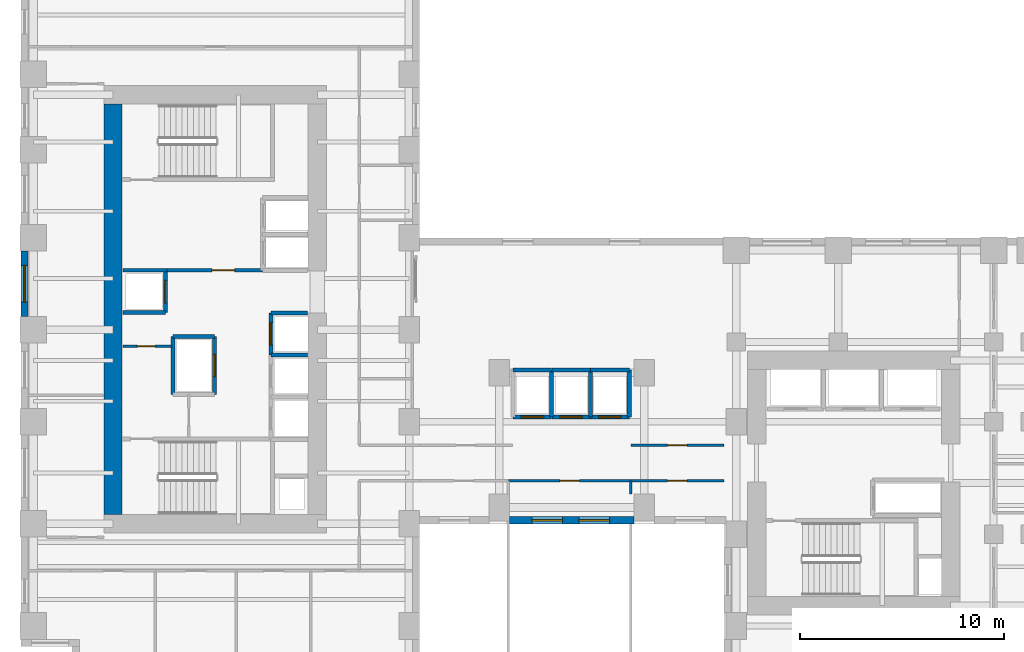
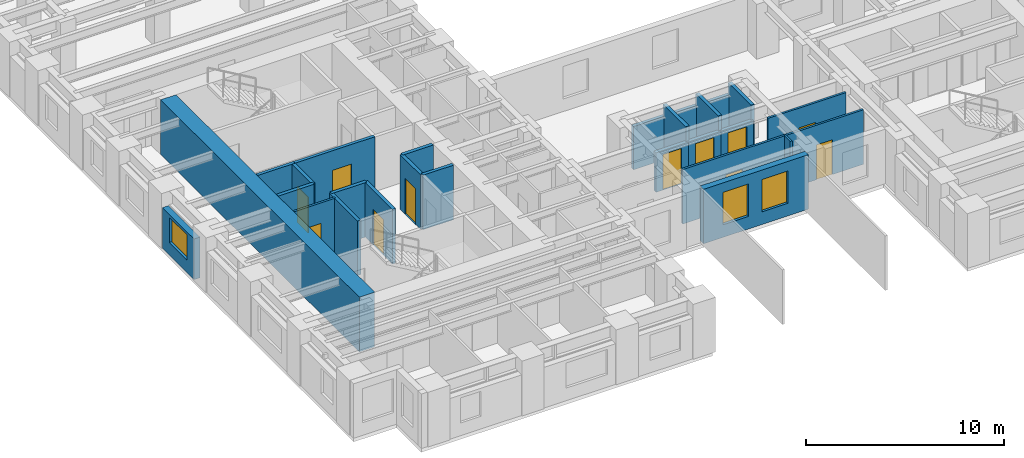
# One storey, part 6 of 12: 27 walls, 11 doors, 3 windows, 14 openings.
"""IFC4 building model written with IfcOpenShell, lengths in metres."""

from ifc_helpers import new_model, si_unit, direction, frame, frame_2d, origin, place, context, subcontext, project, spatial, rectangle, extrude, source, transform, mapped, material, layer, layer_set, type_object, element, fill, save


model = new_model("IFC4")

# Units and contexts
model_context = context("Model", 3, precision=1e-05, world=origin(), true_north=direction((0.0, 1.0)))
body_context = subcontext(model_context, "Body", "Model", "MODEL_VIEW")
ifc_project = project(units=[si_unit("LENGTHUNIT", "METRE"), si_unit("AREAUNIT", "SQUARE_METRE"), si_unit("VOLUMEUNIT", "CUBIC_METRE"), si_unit("PLANEANGLEUNIT", "RADIAN"), si_unit("MASSUNIT", "GRAM", prefix="KILO")], contexts=[model_context])

# Site, building, storey
site_placement = place(None, origin())
site = spatial("IfcSite", under=ifc_project, at=site_placement, CompositionType="ELEMENT")
building_placement = place(site_placement, origin())
building = spatial("IfcBuilding", under=site, at=building_placement, Name="Kharzan Plaza Tower", CompositionType="ELEMENT")
storey_placement = place(building_placement, frame((0.0, 0.0, 51.300048828125)))
storey = spatial("IfcBuildingStorey", under=building, at=storey_placement, Name="L13", CompositionType="ELEMENT", Elevation=51.300048828125)

# Wall, opening, window
ifc_material_1 = material(Name="Concrete C40/50", Category="concrete")
ifc_layer_1 = layer(ifc_material_1, 0.35009765625)
ifc_layer_set_1 = layer_set([ifc_layer_1], Name="Concrete C40/50")
wall_type_1 = type_object("IfcWallType", Name="WL-EXT-MAS-Z1", PredefinedType="SOLIDWALL", material=ifc_layer_set_1)
wall_1_placement = place(storey_placement, frame((0.175048828125, 21.85205078125, 0.0), z_axis=(0.0, 0.0, 1.0), x_axis=(0.0, -1.0, 0.0)))
wall_1 = element("IfcWall", 1, at=wall_1_placement, inside=storey, type_object=wall_type_1, Name="L13 Masonry-Frame Exterior Wall 16", PredefinedType="SOLIDWALL", context=body_context, shape_type="SweptSolid", body=[
    extrude(rectangle(XDim=3.2041015625, YDim=0.35009765625, at=frame_2d((1.60205078125, 0.0))), origin(), (0.0, 0.0, 1.0), 2.510009765625),
])
opening_1_placement = place(wall_1_placement, frame((0.701904296875, 0.0, 0.780029296875)))
opening_1 = element("IfcOpeningElement", 2, at=opening_1_placement, cuts=wall_1, Name="Opening W1", PredefinedType="OPENING", context=body_context, shape_type="SweptSolid", body=[
    extrude(rectangle(XDim=1.800048828125, YDim=1.550048828125, at=frame_2d((0.89990234375, 0.77490234375))), frame((0.0, 0.18505859375, 0.0), z_axis=(0.0, -1.0, 0.0), x_axis=(1.0, 0.0, 0.0)), (0.0, 0.0, 1.0), 0.3701171875),
])
ifc_material_2 = material(Name="Low-E Double Glazing", Category="glass")
window_type_1 = type_object("IfcWindowType", Name="WN-REC-1800x2100", PartitioningType="SINGLE_PANEL", PredefinedType="WINDOW", material=ifc_material_2)
shared_shape_1 = source(origin(), body_context, "Body", "SweptSolid", [
    extrude(rectangle(XDim=1.800048828125, YDim=1.550048828125, at=frame_2d((0.89990234375, 0.77490234375))), frame((0.0, 0.030029296875, 0.0), z_axis=(0.0, -1.0, 0.0), x_axis=(1.0, 0.0, 0.0)), (0.0, 0.0, 1.0), 0.06005859375),
])
window_1_placement = place(opening_1_placement, origin())
window_1 = element("IfcWindow", 3, at=window_1_placement, inside=storey, type_object=window_type_1, Name="L13 Recessed Solar-Control Window 16-1", OverallHeight=1.550048828125, OverallWidth=1.800048828125, PartitioningType="SINGLE_PANEL", PredefinedType="WINDOW", context=body_context, shape_type="MappedRepresentation", body=[
    mapped(shared_shape_1, transform((0.0, 0.0, 0.0), x_axis=(1.0, 0.0, 0.0), y_axis=(0.0, 1.0, 0.0), z_axis=(0.0, 0.0, 1.0))),
])
fill(opening_1, window_1)

# Wall, openings, windows
wall_2_placement = place(storey_placement, frame((23.89794921875, 8.675048828125, 0.0), z_axis=(0.0, 0.0, 1.0), x_axis=(1.0, 0.0, 0.0)))
wall_2 = element("IfcWall", 4, at=wall_2_placement, inside=storey, type_object=wall_type_1, Name="L13 Masonry-Frame Exterior Wall 29", PredefinedType="SOLIDWALL", context=body_context, shape_type="SweptSolid", body=[
    extrude(rectangle(XDim=6.10400390625, YDim=0.35009765625, at=frame_2d((3.052001953125, 0.0))), origin(), (0.0, 0.0, 1.0), 3.364990234375),
])
opening_2_placement = place(wall_2_placement, frame((1.114013671875, 0.0, 0.780029296875)))
opening_2 = element("IfcOpeningElement", 5, at=opening_2_placement, cuts=wall_2, Name="Opening W5", PredefinedType="OPENING", context=body_context, shape_type="SweptSolid", body=[
    extrude(rectangle(XDim=1.5, YDim=2.0, at=frame_2d((0.75, 1.0))), frame((0.0, 0.18505859375, 0.0), z_axis=(0.0, -1.0, 0.0), x_axis=(1.0, 0.0, 0.0)), (0.0, 0.0, 1.0), 0.3701171875),
])
opening_3_placement = place(wall_2_placement, frame((3.407958984375, 0.0, 0.780029296875)))
opening_3 = element("IfcOpeningElement", 6, at=opening_3_placement, cuts=wall_2, Name="Opening W5", PredefinedType="OPENING", context=body_context, shape_type="SweptSolid", body=[
    extrude(rectangle(XDim=1.5, YDim=2.0, at=frame_2d((0.75, 1.0))), frame((0.0, 0.18505859375, 0.0), z_axis=(0.0, -1.0, 0.0), x_axis=(1.0, 0.0, 0.0)), (0.0, 0.0, 1.0), 0.3701171875),
])
window_type_2 = type_object("IfcWindowType", Name="WN-SLT-1500x2000", PartitioningType="SINGLE_PANEL", PredefinedType="WINDOW", material=ifc_material_2)
shared_shape_2 = source(origin(), body_context, "Body", "SweptSolid", [
    extrude(rectangle(XDim=1.5, YDim=2.0, at=frame_2d((0.75, 1.0))), frame((0.0, 0.030029296875, 0.0), z_axis=(0.0, -1.0, 0.0), x_axis=(1.0, 0.0, 0.0)), (0.0, 0.0, 1.0), 0.06005859375),
])
window_2_placement = place(opening_2_placement, origin())
window_2 = element("IfcWindow", 7, at=window_2_placement, inside=storey, type_object=window_type_2, Name="L13 Recessed Solar-Control Window 29-1", OverallHeight=2.0, OverallWidth=1.5, PartitioningType="SINGLE_PANEL", PredefinedType="WINDOW", context=body_context, shape_type="MappedRepresentation", body=[
    mapped(shared_shape_2, transform((0.0, 0.0, 0.0), x_axis=(1.0, 0.0, 0.0), y_axis=(0.0, 1.0, 0.0), z_axis=(0.0, 0.0, 1.0))),
])
fill(opening_2, window_2)
window_3_placement = place(opening_3_placement, origin())
window_3 = element("IfcWindow", 8, at=window_3_placement, inside=storey, type_object=window_type_2, Name="L13 Recessed Solar-Control Window 29-2", OverallHeight=2.0, OverallWidth=1.5, PartitioningType="SINGLE_PANEL", PredefinedType="WINDOW", context=body_context, shape_type="MappedRepresentation", body=[
    mapped(shared_shape_2, transform((0.0, 0.0, 0.0), x_axis=(1.0, 0.0, 0.0), y_axis=(0.0, 1.0, 0.0), z_axis=(0.0, 0.0, 1.0))),
])
fill(opening_3, window_3)

# Wall, opening, door
ifc_layer_2 = layer(ifc_material_1, 0.179931640625)
ifc_layer_set_2 = layer_set([ifc_layer_2], Name="Concrete C40/50")
wall_type_2 = type_object("IfcWallType", Name="WL-INT-FIRE-180", PredefinedType="PARTITIONING", material=ifc_layer_set_2)
wall_3_placement = place(storey_placement, frame((7.14990234375, 20.919921875, 0.0), z_axis=(0.0, 0.0, 1.0), x_axis=(1.0, 0.0, 0.0)))
wall_3 = element("IfcWall", 9, at=wall_3_placement, inside=storey, type_object=wall_type_2, Name="L13 Interior Partition CA-FF-S", PredefinedType="PARTITIONING", context=body_context, shape_type="SweptSolid", body=[
    extrude(rectangle(XDim=4.68017578125, YDim=0.179931640625, at=frame_2d((2.340087890625, 0.0))), origin(), (0.0, 0.0, 1.0), 3.364990234375),
])
opening_4_placement = place(wall_3_placement, frame((2.199951171875, 0.0, 0.0)))
opening_4 = element("IfcOpeningElement", 10, at=opening_4_placement, cuts=wall_3, Name="Opening FD1", PredefinedType="OPENING", context=body_context, shape_type="SweptSolid", body=[
    extrude(rectangle(XDim=1.10009765625, YDim=2.14990234375, at=frame_2d((0.550048828125, 1.074951171875))), frame((0.0, 0.099853515625, 0.0), z_axis=(0.0, -1.0, 0.0), x_axis=(1.0, 0.0, 0.0)), (0.0, 0.0, 1.0), 0.199951171875),
])
ifc_material_3 = material(Name="Fire-Rated Acoustic Vision-Panel Steel", Category="steel")
door_type_1 = type_object("IfcDoorType", Name="DR-FIRE-LOBBY", OperationType="NOTDEFINED", PredefinedType="DOOR", material=ifc_material_3)
shared_shape_3 = source(origin(), body_context, "Body", "SweptSolid", [
    extrude(rectangle(XDim=1.10009765625, YDim=2.14990234375, at=frame_2d((0.550048828125, 1.074951171875))), frame((0.0, 0.02490234375, 0.0), z_axis=(0.0, -1.0, 0.0), x_axis=(1.0, 0.0, 0.0)), (0.0, 0.0, 1.0), 0.050048828125),
])
door_1_placement = place(opening_4_placement, origin())
door_1 = element("IfcDoor", 11, at=door_1_placement, inside=storey, type_object=door_type_1, Name="L13 Firefighting Lobby Door", OperationType="SINGLE_SWING_RIGHT", OverallHeight=2.14990234375, OverallWidth=1.10009765625, PredefinedType="DOOR", context=body_context, shape_type="MappedRepresentation", body=[
    mapped(shared_shape_3, transform((0.0, 0.0, 0.0), x_axis=(1.0, 0.0, 0.0), y_axis=(0.0, 1.0, 0.0), z_axis=(0.0, 0.0, 1.0))),
])
fill(opening_4, door_1)

ifc_material_4 = material(Name="Fire-Rated Gypsum Board Partition", Category="gypsum")
ifc_layer_3 = layer(ifc_material_4, 0.125)
ifc_layer_set_3 = layer_set([ifc_layer_3], Name="Fire-Rated Gypsum Board Partition")
wall_type_3 = type_object("IfcWallType", Name="WL-INT-PART-125", PredefinedType="PARTITIONING", material=ifc_layer_set_3)
wall_4_placement = place(storey_placement, frame((5.0, 17.199951171875, 0.0), z_axis=(0.0, 0.0, 1.0), x_axis=(1.0, 0.0, 0.0)))
wall_4 = element("IfcWall", 12, at=wall_4_placement, inside=storey, type_object=wall_type_3, Name="L13 Interior Partition CA-K1N2", PredefinedType="PARTITIONING", context=body_context, shape_type="SweptSolid", body=[
    extrude(rectangle(XDim=2.39990234375, YDim=0.125, at=frame_2d((1.199951171875, 0.0))), origin(), (0.0, 0.0, 1.0), 3.364990234375),
])
opening_5_placement = place(wall_4_placement, frame((0.699951171875, 0.0, 0.0)))
opening_5 = element("IfcOpeningElement", 13, at=opening_5_placement, cuts=wall_4, Name="Opening RD1", PredefinedType="OPENING", context=body_context, shape_type="SweptSolid", body=[
    extrude(rectangle(XDim=0.85009765625, YDim=2.10009765625, at=frame_2d((0.425048828125, 1.050048828125))), frame((0.0, 0.072509765625, 0.0), z_axis=(0.0, -1.0, 0.0), x_axis=(1.0, 0.0, 0.0)), (0.0, 0.0, 1.0), 0.14501953125),
])
ifc_material_5 = material(Name="Powder-Coated Fire-Rated Steel", Category="steel")
door_type_2 = type_object("IfcDoorType", Name="DR-RISER-900", OperationType="NOTDEFINED", PredefinedType="DOOR", material=ifc_material_5)
shared_shape_4 = source(origin(), body_context, "Body", "SweptSolid", [
    extrude(rectangle(XDim=0.85009765625, YDim=2.10009765625, at=frame_2d((0.425048828125, 1.050048828125))), frame((0.0, 0.02490234375, 0.0), z_axis=(0.0, -1.0, 0.0), x_axis=(1.0, 0.0, 0.0)), (0.0, 0.0, 1.0), 0.050048828125),
])
door_2_placement = place(opening_5_placement, origin())
door_2 = element("IfcDoor", 14, at=door_2_placement, inside=storey, type_object=door_type_2, Name="L13 Core Storage Room Door", OperationType="SINGLE_SWING_LEFT", OverallHeight=2.10009765625, OverallWidth=0.85009765625, PredefinedType="DOOR", context=body_context, shape_type="MappedRepresentation", body=[
    mapped(shared_shape_4, transform((0.0, 0.0, 0.0), x_axis=(1.0, 0.0, 0.0), y_axis=(0.0, 1.0, 0.0), z_axis=(0.0, 0.0, 1.0))),
])
fill(opening_5, door_2)

wall_5_placement = place(storey_placement, frame((29.85009765625, 12.35009765625, 0.0), z_axis=(0.0, 0.0, 1.0), x_axis=(1.0, 0.0, 0.0)))
wall_5 = element("IfcWall", 15, at=wall_5_placement, inside=storey, type_object=wall_type_3, Name="L13 Interior Partition SH-SPNE1", PredefinedType="PARTITIONING", context=body_context, shape_type="SweptSolid", body=[
    extrude(rectangle(XDim=4.5498046875, YDim=0.125, at=frame_2d((2.27490234375, 0.0))), origin(), (0.0, 0.0, 1.0), 3.364990234375),
])
opening_6_placement = place(wall_5_placement, frame((1.800048828125, 0.0, 0.0)))
opening_6 = element("IfcOpeningElement", 16, at=opening_6_placement, cuts=wall_5, Name="Opening OD1", PredefinedType="OPENING", context=body_context, shape_type="SweptSolid", body=[
    extrude(rectangle(XDim=0.949951171875, YDim=2.14990234375, at=frame_2d((0.47509765625, 1.074951171875))), frame((0.0, 0.072509765625, 0.0), z_axis=(0.0, -1.0, 0.0), x_axis=(1.0, 0.0, 0.0)), (0.0, 0.0, 1.0), 0.14501953125),
])
ifc_material_6 = material(Name="Acoustic Solid-Core Stained Oak", Category="timber")
door_type_3 = type_object("IfcDoorType", Name="DR-OFF-SINGLE", OperationType="NOTDEFINED", PredefinedType="DOOR", material=ifc_material_6)
shared_shape_5 = source(origin(), body_context, "Body", "SweptSolid", [
    extrude(rectangle(XDim=0.949951171875, YDim=2.14990234375, at=frame_2d((0.47509765625, 1.074951171875))), frame((0.0, 0.02490234375, 0.0), z_axis=(0.0, -1.0, 0.0), x_axis=(1.0, 0.0, 0.0)), (0.0, 0.0, 1.0), 0.050048828125),
])
door_3_placement = place(opening_6_placement, origin())
door_3 = element("IfcDoor", 17, at=door_3_placement, inside=storey, type_object=door_type_3, Name="L13 North-East Spine Door", OperationType="SINGLE_SWING_RIGHT", OverallHeight=2.14990234375, OverallWidth=0.949951171875, PredefinedType="DOOR", context=body_context, shape_type="MappedRepresentation", body=[
    mapped(shared_shape_5, transform((0.0, 0.0, 0.0), x_axis=(1.0, 0.0, 0.0), y_axis=(0.0, 1.0, 0.0), z_axis=(0.0, 0.0, 1.0))),
])
fill(opening_6, door_3)

wall_6_placement = place(storey_placement, frame((23.85009765625, 10.60009765625, 0.0), z_axis=(0.0, 0.0, 1.0), x_axis=(1.0, 0.0, 0.0)))
wall_6 = element("IfcWall", 18, at=wall_6_placement, inside=storey, type_object=wall_type_3, Name="L13 Interior Partition SH-SPS2", PredefinedType="PARTITIONING", context=body_context, shape_type="SweptSolid", body=[
    extrude(rectangle(XDim=6.0, YDim=0.125, at=frame_2d((3.0, 0.0))), origin(), (0.0, 0.0, 1.0), 3.364990234375),
])
opening_7_placement = place(wall_6_placement, frame((2.52490234375, 0.0, 0.0)))
opening_7 = element("IfcOpeningElement", 19, at=opening_7_placement, cuts=wall_6, Name="Opening OD1", PredefinedType="OPENING", context=body_context, shape_type="SweptSolid", body=[
    extrude(rectangle(XDim=0.949951171875, YDim=2.14990234375, at=frame_2d((0.47509765625, 1.074951171875))), frame((0.0, 0.072509765625, 0.0), z_axis=(0.0, -1.0, 0.0), x_axis=(1.0, 0.0, 0.0)), (0.0, 0.0, 1.0), 0.14501953125),
])
door_4_placement = place(opening_7_placement, origin())
door_4 = element("IfcDoor", 20, at=door_4_placement, inside=storey, type_object=door_type_3, Name="L13 Spine Studio 2 Door", OperationType="SINGLE_SWING_LEFT", OverallHeight=2.14990234375, OverallWidth=0.949951171875, PredefinedType="DOOR", context=body_context, shape_type="MappedRepresentation", body=[
    mapped(shared_shape_5, transform((0.0, 0.0, 0.0), x_axis=(1.0, 0.0, 0.0), y_axis=(0.0, 1.0, 0.0), z_axis=(0.0, 0.0, 1.0))),
])
fill(opening_7, door_4)

wall_7_placement = place(storey_placement, frame((29.85009765625, 10.60009765625, 0.0), z_axis=(0.0, 0.0, 1.0), x_axis=(1.0, 0.0, 0.0)))
wall_7 = element("IfcWall", 21, at=wall_7_placement, inside=storey, type_object=wall_type_3, Name="L13 Interior Partition SH-SPS3", PredefinedType="PARTITIONING", context=body_context, shape_type="SweptSolid", body=[
    extrude(rectangle(XDim=4.5498046875, YDim=0.125, at=frame_2d((2.27490234375, 0.0))), origin(), (0.0, 0.0, 1.0), 3.364990234375),
])
opening_8_placement = place(wall_7_placement, frame((1.800048828125, 0.0, 0.0)))
opening_8 = element("IfcOpeningElement", 22, at=opening_8_placement, cuts=wall_7, Name="Opening OD1", PredefinedType="OPENING", context=body_context, shape_type="SweptSolid", body=[
    extrude(rectangle(XDim=0.949951171875, YDim=2.14990234375, at=frame_2d((0.47509765625, 1.074951171875))), frame((0.0, 0.072509765625, 0.0), z_axis=(0.0, -1.0, 0.0), x_axis=(1.0, 0.0, 0.0)), (0.0, 0.0, 1.0), 0.14501953125),
])
door_5_placement = place(opening_8_placement, origin())
door_5 = element("IfcDoor", 23, at=door_5_placement, inside=storey, type_object=door_type_3, Name="L13 Spine Studio 3 Door", OperationType="SINGLE_SWING_RIGHT", OverallHeight=2.14990234375, OverallWidth=0.949951171875, PredefinedType="DOOR", context=body_context, shape_type="MappedRepresentation", body=[
    mapped(shared_shape_5, transform((0.0, 0.0, 0.0), x_axis=(1.0, 0.0, 0.0), y_axis=(0.0, 1.0, 0.0), z_axis=(0.0, 0.0, 1.0))),
])
fill(opening_8, door_5)

ifc_layer_4 = layer(ifc_material_1, 0.199951171875)
ifc_layer_set_4 = layer_set([ifc_layer_4], Name="Concrete C40/50")
wall_type_4 = type_object("IfcWallType", Name="WL-INT-SHAFT-200", PredefinedType="PARTITIONING", material=ifc_layer_set_4)
wall_8_placement = place(storey_placement, frame((12.22998046875, 16.77001953125, 0.0), z_axis=(0.0, 0.0, 1.0), x_axis=(0.0, 1.0, 0.0)))
wall_8 = element("IfcWall", 24, at=wall_8_placement, inside=storey, type_object=wall_type_4, Name="L13 Interior Partition SHF-PL-H3-W", PredefinedType="PARTITIONING", context=body_context, shape_type="SweptSolid", body=[
    extrude(rectangle(XDim=2.050048828125, YDim=0.199951171875, at=frame_2d((1.02490234375, 0.0))), origin(), (0.0, 0.0, 1.0), 3.364990234375),
])
opening_9_placement = place(wall_8_placement, frame((0.47509765625, 0.0, 0.0)))
opening_9 = element("IfcOpeningElement", 25, at=opening_9_placement, cuts=wall_8, Name="Opening LD", PredefinedType="OPENING", context=body_context, shape_type="SweptSolid", body=[
    extrude(rectangle(XDim=1.10009765625, YDim=2.199951171875, at=frame_2d((0.550048828125, 1.10009765625))), frame((0.0, 0.10986328125, 0.0), z_axis=(0.0, -1.0, 0.0), x_axis=(1.0, 0.0, 0.0)), (0.0, 0.0, 1.0), 0.219970703125),
])
ifc_material_7 = material(Name="Brushed Stainless Steel", Category="steel")
door_type_4 = type_object("IfcDoorType", Name="DR-LIFT-SLIDE", OperationType="SLIDING_TO_LEFT", PredefinedType="DOOR", material=ifc_material_7)
shared_shape_6 = source(origin(), body_context, "Body", "SweptSolid", [
    extrude(rectangle(XDim=1.10009765625, YDim=2.199951171875, at=frame_2d((0.550048828125, 1.10009765625))), frame((0.0, 0.02490234375, 0.0), z_axis=(0.0, -1.0, 0.0), x_axis=(1.0, 0.0, 0.0)), (0.0, 0.0, 1.0), 0.050048828125),
])
door_6_placement = place(opening_9_placement, origin())
door_6 = element("IfcDoor", 26, at=door_6_placement, inside=storey, type_object=door_type_4, Name="L13 High-Rise Passenger Lift PL-H3 Sliding Landing Door", OperationType="SLIDING_TO_LEFT", OverallHeight=2.199951171875, OverallWidth=1.10009765625, PredefinedType="DOOR", context=body_context, shape_type="MappedRepresentation", body=[
    mapped(shared_shape_6, transform((0.0, 0.0, 0.0), x_axis=(1.0, 0.0, 0.0), y_axis=(0.0, 1.0, 0.0), z_axis=(0.0, 0.0, 1.0))),
])
fill(opening_9, door_6)

wall_9_placement = place(storey_placement, frame((7.070068359375, 18.840087890625, 0.0), z_axis=(0.0, 0.0, 1.0), x_axis=(0.0, 1.0, 0.0)))
wall_9 = element("IfcWall", 27, at=wall_9_placement, inside=storey, type_object=wall_type_4, Name="L13 Interior Partition SHF-PL-H4-E", PredefinedType="PARTITIONING", context=body_context, shape_type="SweptSolid", body=[
    extrude(rectangle(XDim=2.059814453125, YDim=0.199951171875, at=frame_2d((1.02978515625, 0.0))), origin(), (0.0, 0.0, 1.0), 3.364990234375),
])
opening_10_placement = place(wall_9_placement, frame((0.47998046875, 0.0, 0.0)))
opening_10 = element("IfcOpeningElement", 28, at=opening_10_placement, cuts=wall_9, Name="Opening LD", PredefinedType="OPENING", context=body_context, shape_type="SweptSolid", body=[
    extrude(rectangle(XDim=1.10009765625, YDim=2.199951171875, at=frame_2d((0.550048828125, 1.10009765625))), frame((0.0, 0.10986328125, 0.0), z_axis=(0.0, -1.0, 0.0), x_axis=(1.0, 0.0, 0.0)), (0.0, 0.0, 1.0), 0.219970703125),
])
door_7_placement = place(opening_10_placement, origin())
door_7 = element("IfcDoor", 29, at=door_7_placement, inside=storey, type_object=door_type_4, Name="L13 High-Rise Passenger Lift PL-H4 Sliding Landing Door", OperationType="SLIDING_TO_LEFT", OverallHeight=2.199951171875, OverallWidth=1.10009765625, PredefinedType="DOOR", context=body_context, shape_type="MappedRepresentation", body=[
    mapped(shared_shape_6, transform((0.0, 0.0, 0.0), x_axis=(1.0, 0.0, 0.0), y_axis=(0.0, 1.0, 0.0), z_axis=(0.0, 0.0, 1.0))),
])
fill(opening_10, door_7)

wall_10_placement = place(storey_placement, frame((24.080078125, 13.72998046875, 0.0), z_axis=(0.0, 0.0, 1.0), x_axis=(1.0, 0.0, 0.0)))
wall_10 = element("IfcWall", 30, at=wall_10_placement, inside=storey, type_object=wall_type_4, Name="L13 Interior Partition SHF-PL-M1-S", PredefinedType="PARTITIONING", context=body_context, shape_type="SweptSolid", body=[
    extrude(rectangle(XDim=1.889892578125, YDim=0.199951171875, at=frame_2d((0.94482421875, 0.0))), origin(), (0.0, 0.0, 1.0), 2.446044921875),
])
opening_11_placement = place(wall_10_placement, frame((0.39501953125, 0.0, 0.0)))
opening_11 = element("IfcOpeningElement", 31, at=opening_11_placement, cuts=wall_10, Name="Opening LD", PredefinedType="OPENING", context=body_context, shape_type="SweptSolid", body=[
    extrude(rectangle(XDim=1.10009765625, YDim=2.199951171875, at=frame_2d((0.550048828125, 1.10009765625))), frame((0.0, 0.10986328125, 0.0), z_axis=(0.0, -1.0, 0.0), x_axis=(1.0, 0.0, 0.0)), (0.0, 0.0, 1.0), 0.219970703125),
])
door_8_placement = place(opening_11_placement, origin())
door_8 = element("IfcDoor", 32, at=door_8_placement, inside=storey, type_object=door_type_4, Name="L13 Mid-Rise Passenger Lift PL-M1 Sliding Landing Door", OperationType="SLIDING_TO_LEFT", OverallHeight=2.199951171875, OverallWidth=1.10009765625, PredefinedType="DOOR", context=body_context, shape_type="MappedRepresentation", body=[
    mapped(shared_shape_6, transform((0.0, 0.0, 0.0), x_axis=(1.0, 0.0, 0.0), y_axis=(0.0, 1.0, 0.0), z_axis=(0.0, 0.0, 1.0))),
])
fill(opening_11, door_8)

wall_11_placement = place(storey_placement, frame((25.97998046875, 13.72998046875, 0.0), z_axis=(0.0, 0.0, 1.0), x_axis=(1.0, 0.0, 0.0)))
wall_11 = element("IfcWall", 33, at=wall_11_placement, inside=storey, type_object=wall_type_4, Name="L13 Interior Partition SHF-PL-M2-S", PredefinedType="PARTITIONING", context=body_context, shape_type="SweptSolid", body=[
    extrude(rectangle(XDim=1.89013671875, YDim=0.199951171875, at=frame_2d((0.945068359375, 0.0))), origin(), (0.0, 0.0, 1.0), 2.446044921875),
])
opening_12_placement = place(wall_11_placement, frame((0.39501953125, 0.0, 0.0)))
opening_12 = element("IfcOpeningElement", 34, at=opening_12_placement, cuts=wall_11, Name="Opening LD", PredefinedType="OPENING", context=body_context, shape_type="SweptSolid", body=[
    extrude(rectangle(XDim=1.10009765625, YDim=2.199951171875, at=frame_2d((0.550048828125, 1.10009765625))), frame((0.0, 0.10986328125, 0.0), z_axis=(0.0, -1.0, 0.0), x_axis=(1.0, 0.0, 0.0)), (0.0, 0.0, 1.0), 0.219970703125),
])
door_9_placement = place(opening_12_placement, origin())
door_9 = element("IfcDoor", 35, at=door_9_placement, inside=storey, type_object=door_type_4, Name="L13 Mid-Rise Passenger Lift PL-M2 Sliding Landing Door", OperationType="SLIDING_TO_LEFT", OverallHeight=2.199951171875, OverallWidth=1.10009765625, PredefinedType="DOOR", context=body_context, shape_type="MappedRepresentation", body=[
    mapped(shared_shape_6, transform((0.0, 0.0, 0.0), x_axis=(1.0, 0.0, 0.0), y_axis=(0.0, 1.0, 0.0), z_axis=(0.0, 0.0, 1.0))),
])
fill(opening_12, door_9)

wall_12_placement = place(storey_placement, frame((27.8798828125, 13.72998046875, 0.0), z_axis=(0.0, 0.0, 1.0), x_axis=(1.0, 0.0, 0.0)))
wall_12 = element("IfcWall", 36, at=wall_12_placement, inside=storey, type_object=wall_type_4, Name="L13 Interior Partition SHF-PL-M3-S", PredefinedType="PARTITIONING", context=body_context, shape_type="SweptSolid", body=[
    extrude(rectangle(XDim=1.89013671875, YDim=0.199951171875, at=frame_2d((0.945068359375, 0.0))), origin(), (0.0, 0.0, 1.0), 2.446044921875),
])
opening_13_placement = place(wall_12_placement, frame((0.39501953125, 0.0, 0.0)))
opening_13 = element("IfcOpeningElement", 37, at=opening_13_placement, cuts=wall_12, Name="Opening LD", PredefinedType="OPENING", context=body_context, shape_type="SweptSolid", body=[
    extrude(rectangle(XDim=1.10009765625, YDim=2.199951171875, at=frame_2d((0.550048828125, 1.10009765625))), frame((0.0, 0.10986328125, 0.0), z_axis=(0.0, -1.0, 0.0), x_axis=(1.0, 0.0, 0.0)), (0.0, 0.0, 1.0), 0.219970703125),
])
door_10_placement = place(opening_13_placement, origin())
door_10 = element("IfcDoor", 38, at=door_10_placement, inside=storey, type_object=door_type_4, Name="L13 Mid-Rise Passenger Lift PL-M3 Sliding Landing Door", OperationType="SLIDING_TO_LEFT", OverallHeight=2.199951171875, OverallWidth=1.10009765625, PredefinedType="DOOR", context=body_context, shape_type="MappedRepresentation", body=[
    mapped(shared_shape_6, transform((0.0, 0.0, 0.0), x_axis=(1.0, 0.0, 0.0), y_axis=(0.0, 1.0, 0.0), z_axis=(0.0, 0.0, 1.0))),
])
fill(opening_13, door_10)

wall_13_placement = place(storey_placement, frame((9.469970703125, 14.830078125, 0.0), z_axis=(0.0, 0.0, 1.0), x_axis=(0.0, 1.0, 0.0)))
wall_13 = element("IfcWall", 39, at=wall_13_placement, inside=storey, type_object=wall_type_4, Name="L13 Interior Partition SHF-SVL-1-E", PredefinedType="PARTITIONING", context=body_context, shape_type="SweptSolid", body=[
    extrude(rectangle(XDim=2.83984375, YDim=0.199951171875, at=frame_2d((1.419921875, 0.0))), origin(), (0.0, 0.0, 1.0), 3.364990234375),
])
opening_14_placement = place(wall_13_placement, frame((0.8701171875, 0.0, 0.0)))
opening_14 = element("IfcOpeningElement", 40, at=opening_14_placement, cuts=wall_13, Name="Opening LD", PredefinedType="OPENING", context=body_context, shape_type="SweptSolid", body=[
    extrude(rectangle(XDim=1.10009765625, YDim=2.199951171875, at=frame_2d((0.550048828125, 1.10009765625))), frame((0.0, 0.10986328125, 0.0), z_axis=(0.0, -1.0, 0.0), x_axis=(1.0, 0.0, 0.0)), (0.0, 0.0, 1.0), 0.219970703125),
])
door_11_placement = place(opening_14_placement, origin())
door_11 = element("IfcDoor", 41, at=door_11_placement, inside=storey, type_object=door_type_4, Name="L13 Service Lift SVL-1 Sliding Landing Door", OperationType="SLIDING_TO_LEFT", OverallHeight=2.199951171875, OverallWidth=1.10009765625, PredefinedType="DOOR", context=body_context, shape_type="MappedRepresentation", body=[
    mapped(shared_shape_6, transform((0.0, 0.0, 0.0), x_axis=(1.0, 0.0, 0.0), y_axis=(0.0, 1.0, 0.0), z_axis=(0.0, 0.0, 1.0))),
])
fill(opening_14, door_11)

# Walls
ifc_material_8 = material(Name="Concrete C60/75", Category="concrete")
ifc_layer_5 = layer(ifc_material_8, 0.89990234375)
ifc_layer_set_5 = layer_set([ifc_layer_5], Name="Concrete C60/75")
wall_type_5 = type_object("IfcWallType", Name="WL-CORE-900", PredefinedType="SHEAR", material=ifc_layer_set_5)
shared_shape_7 = source(origin(), body_context, "Body", "SweptSolid", [
    extrude(rectangle(XDim=20.10009765625, YDim=0.89990234375, at=frame_2d((10.050048828125, 0.0))), origin(), (0.0, 0.0, 1.0), 3.3798828125),
])
wall_14_placement = place(storey_placement, frame((4.5, 8.949951171875, 0.0), z_axis=(0.0, 0.0, 1.0), x_axis=(0.0, 1.0, 0.0)))
element("IfcWall", 42, at=wall_14_placement, inside=storey, type_object=wall_type_5, Name="L13 CORE-A west RC shear wall", PredefinedType="SHEAR", context=body_context, shape_type="MappedRepresentation", body=[
    mapped(shared_shape_7, transform((0.0, 0.0, 0.0), x_axis=(1.0, 0.0, 0.0), y_axis=(0.0, 1.0, 0.0), z_axis=(0.0, 0.0, 1.0))),
])
shared_shape_8 = source(origin(), body_context, "Body", "SweptSolid", [
    extrude(rectangle(XDim=2.169921875, YDim=0.179931640625, at=frame_2d((1.0849609375, 0.0))), origin(), (0.0, 0.0, 1.0), 3.364990234375),
])
wall_15_placement = place(storey_placement, frame((4.97998046875, 20.919921875, 0.0), z_axis=(0.0, 0.0, 1.0), x_axis=(1.0, 0.0, 0.0)))
element("IfcWall", 43, at=wall_15_placement, inside=storey, type_object=wall_type_2, Name="L13 Interior Partition CA-FF-SW", PredefinedType="PARTITIONING", context=body_context, shape_type="MappedRepresentation", body=[
    mapped(shared_shape_8, transform((0.0, 0.0, 0.0), x_axis=(1.0, 0.0, 0.0), y_axis=(0.0, 1.0, 0.0), z_axis=(0.0, 0.0, 1.0))),
])
shared_shape_9 = source(origin(), body_context, "Body", "SweptSolid", [
    extrude(rectangle(XDim=1.7900390625, YDim=0.199951171875, at=frame_2d((0.89501953125, 0.0))), origin(), (0.0, 0.0, 1.0), 3.364990234375),
])
for number, where, z_axis, x_axis, name in (
    (44, (12.22998046875, 16.77001953125, 0.0), (0.0, 0.0, 1.0), (1.0, 0.0, 0.0), "L13 Interior Partition SHF-PL-H2-N"),
    (45, (12.22998046875, 18.820068359375, 0.0), (0.0, 0.0, 1.0), (1.0, 0.0, 0.0), "L13 Interior Partition SHF-PL-H3-N"),
):
    element("IfcWall", number, at=place(storey_placement, frame(where, z_axis=z_axis, x_axis=x_axis)), inside=storey, type_object=wall_type_4, Name=name, PredefinedType="PARTITIONING", context=body_context, shape_type="MappedRepresentation", body=[
        mapped(shared_shape_9, transform((0.0, 0.0, 0.0), x_axis=(1.0, 0.0, 0.0), y_axis=(0.0, 1.0, 0.0), z_axis=(0.0, 0.0, 1.0))),
    ])
shared_shape_10 = source(origin(), body_context, "Body", "SweptSolid", [
    extrude(rectangle(XDim=2.090087890625, YDim=0.199951171875, at=frame_2d((1.044921875, 0.0))), origin(), (0.0, 0.0, 1.0), 3.364990234375),
])
wall_16_placement = place(storey_placement, frame((4.97998046875, 18.840087890625, 0.0), z_axis=(0.0, 0.0, 1.0), x_axis=(1.0, 0.0, 0.0)))
element("IfcWall", 46, at=wall_16_placement, inside=storey, type_object=wall_type_4, Name="L13 Interior Partition SHF-PL-H4-S", PredefinedType="PARTITIONING", context=body_context, shape_type="MappedRepresentation", body=[
    mapped(shared_shape_10, transform((0.0, 0.0, 0.0), x_axis=(1.0, 0.0, 0.0), y_axis=(0.0, 1.0, 0.0), z_axis=(0.0, 0.0, 1.0))),
])
shared_shape_11 = source(origin(), body_context, "Body", "SweptSolid", [
    extrude(rectangle(XDim=2.2900390625, YDim=0.199951171875, at=frame_2d((1.14501953125, 0.0))), origin(), (0.0, 0.0, 1.0), 3.364990234375),
])
for number, where, z_axis, x_axis, name in (
    (47, (25.969970703125, 13.72998046875, 0.0), (0.0, 0.0, 1.0), (0.0, 1.0, 0.0), "L13 Interior Partition SHF-PL-M1-E"),
    (48, (27.8701171875, 13.72998046875, 0.0), (0.0, 0.0, 1.0), (0.0, 1.0, 0.0), "L13 Interior Partition SHF-PL-M2-E"),
    (49, (29.77001953125, 13.72998046875, 0.0), (0.0, 0.0, 1.0), (0.0, 1.0, 0.0), "L13 Interior Partition SHF-PL-M3-E"),
):
    element("IfcWall", number, at=place(storey_placement, frame(where, z_axis=z_axis, x_axis=x_axis)), inside=storey, type_object=wall_type_4, Name=name, PredefinedType="PARTITIONING", context=body_context, shape_type="MappedRepresentation", body=[
        mapped(shared_shape_11, transform((0.0, 0.0, 0.0), x_axis=(1.0, 0.0, 0.0), y_axis=(0.0, 1.0, 0.0), z_axis=(0.0, 0.0, 1.0))),
    ])
shared_shape_12 = source(origin(), body_context, "Body", "SweptSolid", [
    extrude(rectangle(XDim=1.889892578125, YDim=0.199951171875, at=frame_2d((0.94482421875, 0.0))), origin(), (0.0, 0.0, 1.0), 2.669921875),
])
wall_17_placement = place(storey_placement, frame((24.080078125, 16.02001953125, 0.0), z_axis=(0.0, 0.0, 1.0), x_axis=(1.0, 0.0, 0.0)))
element("IfcWall", 50, at=wall_17_placement, inside=storey, type_object=wall_type_4, Name="L13 Interior Partition SHF-PL-M1-N", PredefinedType="PARTITIONING", context=body_context, shape_type="MappedRepresentation", body=[
    mapped(shared_shape_12, transform((0.0, 0.0, 0.0), x_axis=(1.0, 0.0, 0.0), y_axis=(0.0, 1.0, 0.0), z_axis=(0.0, 0.0, 1.0))),
])
shared_shape_13 = source(origin(), body_context, "Body", "SweptSolid", [
    extrude(rectangle(XDim=1.89013671875, YDim=0.199951171875, at=frame_2d((0.945068359375, 0.0))), origin(), (0.0, 0.0, 1.0), 2.669921875),
])
for number, where, z_axis, x_axis, name in (
    (51, (25.97998046875, 16.02001953125, 0.0), (0.0, 0.0, 1.0), (1.0, 0.0, 0.0), "L13 Interior Partition SHF-PL-M2-N"),
    (52, (27.8798828125, 16.02001953125, 0.0), (0.0, 0.0, 1.0), (1.0, 0.0, 0.0), "L13 Interior Partition SHF-PL-M3-N"),
):
    element("IfcWall", number, at=place(storey_placement, frame(where, z_axis=z_axis, x_axis=x_axis)), inside=storey, type_object=wall_type_4, Name=name, PredefinedType="PARTITIONING", context=body_context, shape_type="MappedRepresentation", body=[
        mapped(shared_shape_13, transform((0.0, 0.0, 0.0), x_axis=(1.0, 0.0, 0.0), y_axis=(0.0, 1.0, 0.0), z_axis=(0.0, 0.0, 1.0))),
    ])
shared_shape_14 = source(origin(), body_context, "Body", "SweptSolid", [
    extrude(rectangle(XDim=2.0400390625, YDim=0.199951171875, at=frame_2d((1.02001953125, 0.0))), origin(), (0.0, 0.0, 1.0), 3.364990234375),
])
wall_18_placement = place(storey_placement, frame((7.429931640625, 17.669921875, 0.0), z_axis=(0.0, 0.0, 1.0), x_axis=(1.0, 0.0, 0.0)))
element("IfcWall", 53, at=wall_18_placement, inside=storey, type_object=wall_type_4, Name="L13 Interior Partition SHF-SVL-1-N", PredefinedType="PARTITIONING", context=body_context, shape_type="MappedRepresentation", body=[
    mapped(shared_shape_14, transform((0.0, 0.0, 0.0), x_axis=(1.0, 0.0, 0.0), y_axis=(0.0, 1.0, 0.0), z_axis=(0.0, 0.0, 1.0))),
])
shared_shape_15 = source(origin(), body_context, "Body", "SweptSolid", [
    extrude(rectangle(XDim=2.83984375, YDim=0.199951171875, at=frame_2d((1.419921875, 0.0))), origin(), (0.0, 0.0, 1.0), 3.364990234375),
])
wall_19_placement = place(storey_placement, frame((7.429931640625, 14.830078125, 0.0), z_axis=(0.0, 0.0, 1.0), x_axis=(0.0, 1.0, 0.0)))
element("IfcWall", 54, at=wall_19_placement, inside=storey, type_object=wall_type_4, Name="L13 Interior Partition SHF-SVL-1-W", PredefinedType="PARTITIONING", context=body_context, shape_type="MappedRepresentation", body=[
    mapped(shared_shape_15, transform((0.0, 0.0, 0.0), x_axis=(1.0, 0.0, 0.0), y_axis=(0.0, 1.0, 0.0), z_axis=(0.0, 0.0, 1.0))),
])
shared_shape_16 = source(origin(), body_context, "Body", "SweptSolid", [
    extrude(rectangle(XDim=0.64013671875, YDim=0.125, at=frame_2d((0.320068359375, 0.0))), origin(), (0.0, 0.0, 1.0), 3.364990234375),
])
wall_20_placement = place(storey_placement, frame((29.85009765625, 9.9599609375, 0.0), z_axis=(0.0, 0.0, 1.0), x_axis=(0.0, 1.0, 0.0)))
element("IfcWall", 55, at=wall_20_placement, inside=storey, type_object=wall_type_3, Name="L13 Interior Partition SH-SPSV2-S2", PredefinedType="PARTITIONING", context=body_context, shape_type="MappedRepresentation", body=[
    mapped(shared_shape_16, transform((0.0, 0.0, 0.0), x_axis=(1.0, 0.0, 0.0), y_axis=(0.0, 1.0, 0.0), z_axis=(0.0, 0.0, 1.0))),
])

save(model, "model.ifc")
